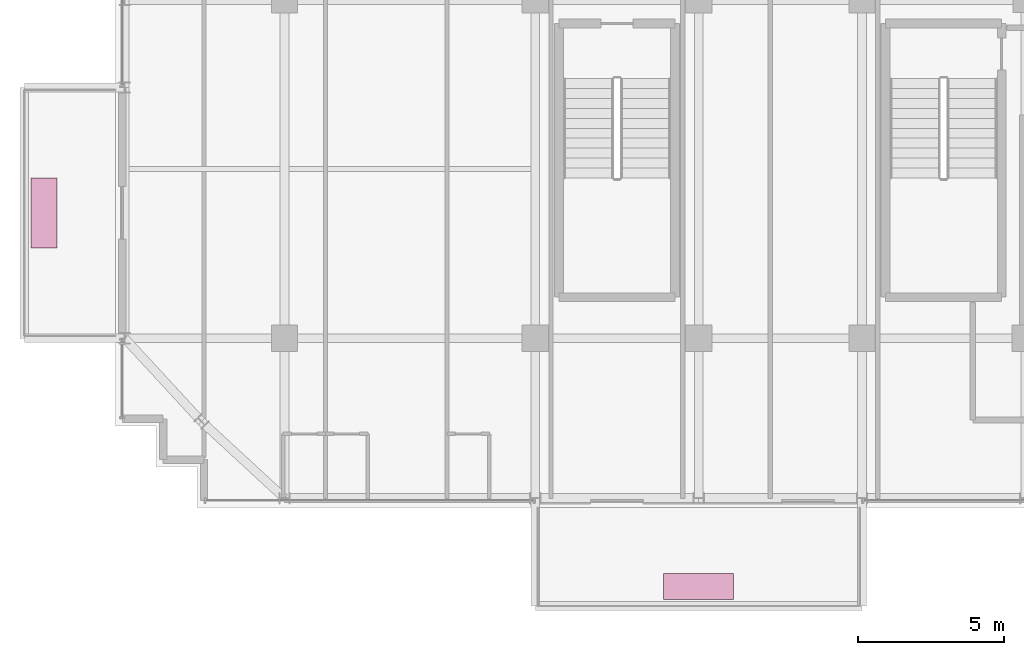
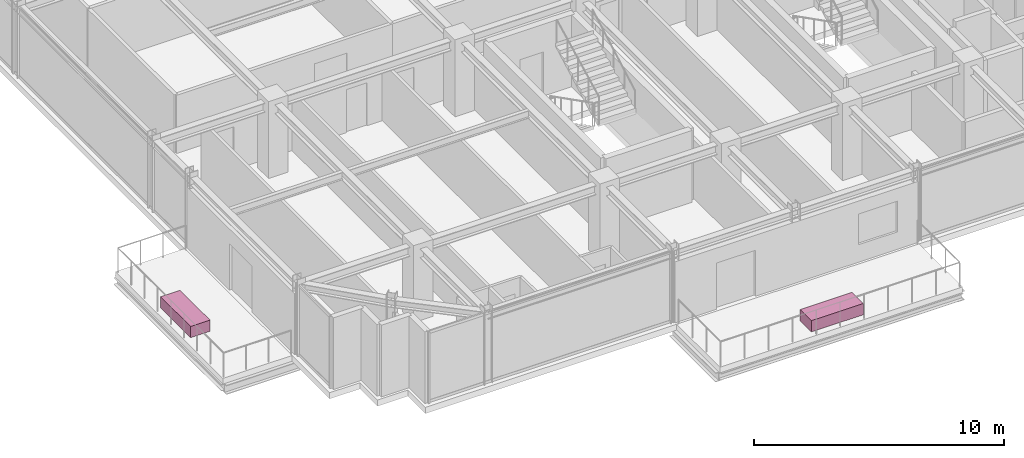
# One storey, part 31 of 31: 2 furnishings.
"""IFC4 building model written with IfcOpenShell, lengths in metres."""

from ifc_helpers import new_model, si_unit, direction, frame, origin, origin_2d, place, context, subcontext, project, spatial, rectangle, extrude, source, transform, mapped, material, type_object, element, save


model = new_model("IFC4")

# Units and contexts
model_context = context("Model", 3, precision=1e-05, world=origin(), true_north=direction((0.0, 1.0)))
body_context = subcontext(model_context, "Body", "Model", "MODEL_VIEW")
ifc_project = project(units=[si_unit("LENGTHUNIT", "METRE"), si_unit("AREAUNIT", "SQUARE_METRE"), si_unit("VOLUMEUNIT", "CUBIC_METRE"), si_unit("PLANEANGLEUNIT", "RADIAN"), si_unit("MASSUNIT", "GRAM", prefix="KILO")], contexts=[model_context])

# Site, building, storey
site_placement = place(None, origin())
site = spatial("IfcSite", under=ifc_project, at=site_placement, CompositionType="ELEMENT")
building_placement = place(site_placement, origin())
building = spatial("IfcBuilding", under=site, at=building_placement, Name="Nahalor Promenade Grand Hotel", CompositionType="ELEMENT")
storey_placement = place(building_placement, frame((0.0, 0.0, 323.35009765625)))
storey = spatial("IfcBuildingStorey", under=building, at=storey_placement, Name="L83", CompositionType="ELEMENT", Elevation=323.35009765625)

# Furnishings
ifc_material = material(Name="Vegetated Volcanic-Lapilli Tree Planter", Category="earth")
furnishing_element_type = type_object("IfcFurnishingElementType", Name="Planter-VerticalForest-Box", material=ifc_material)
shared_shape = source(origin(), body_context, "Body", "SweptSolid", [
    extrude(rectangle(XDim=2.39990234375, YDim=0.89990234375, at=origin_2d()), origin(), (0.0, 0.0, 1.0), 0.550048828125),
])
for number, where, z_axis, x_axis, name in (
    (1, (-2.800048828125, -25.510009765625, 0.0), (0.0, 0.0, 1.0), (1.0, 0.0, 0.0), "L83 Balcony Structural Tree Planter 1"),
    (2, (-25.25, -12.699951171875, 0.0), (0.0, 0.0, 1.0), (0.0, 1.0, 0.0), "L83 Balcony Structural Tree Planter 2"),
):
    element("IfcFurnishingElement", number, at=place(storey_placement, frame(where, z_axis=z_axis, x_axis=x_axis)), inside=storey, type_object=furnishing_element_type, Name=name, ObjectType="PLANTER", context=body_context, shape_type="MappedRepresentation", body=[
        mapped(shared_shape, transform((0.0, 0.0, 0.0), scale=1.0)),
    ])

save(model, "model.ifc")
